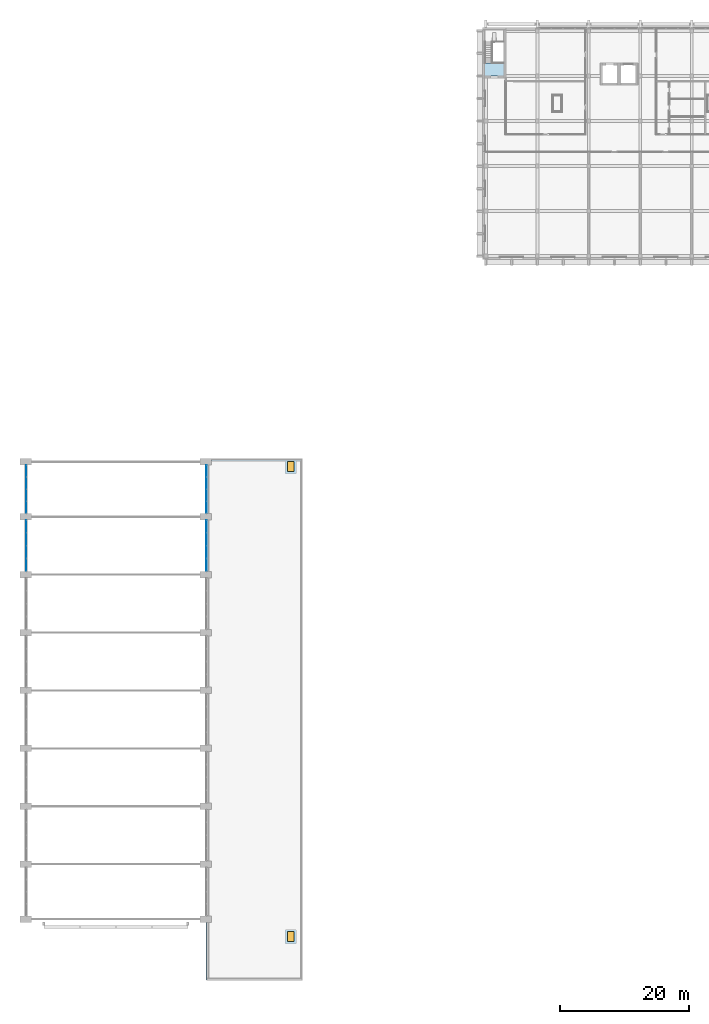
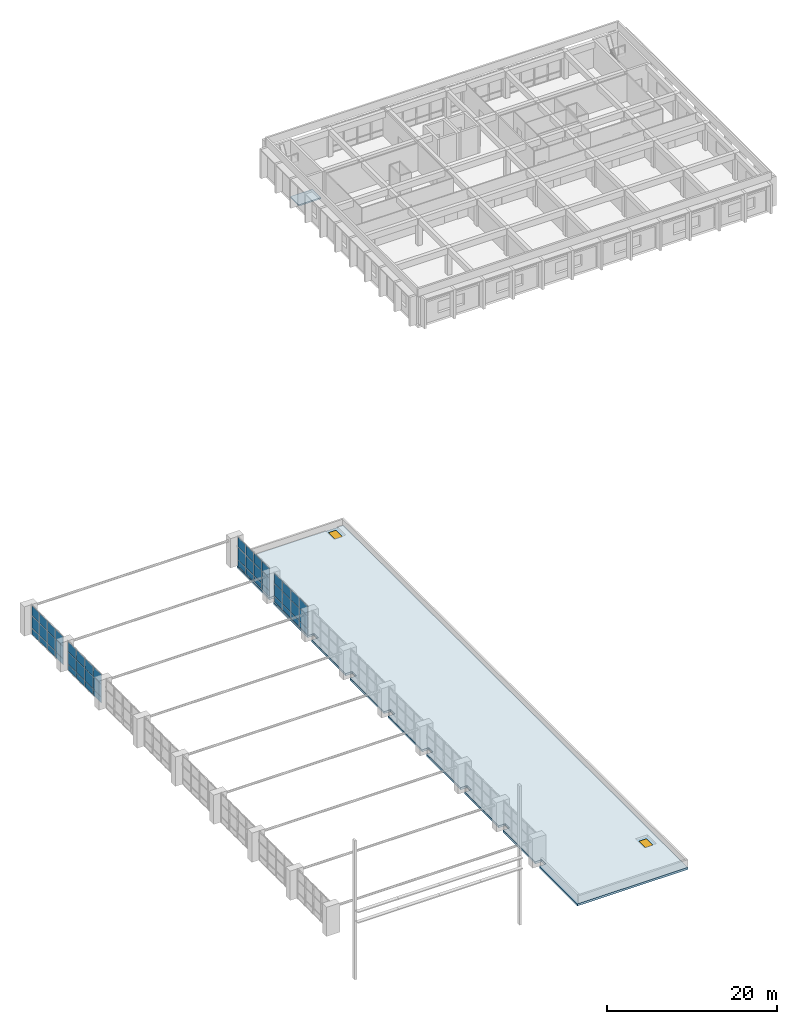
# One storey, part 13 of 21: 48 plates, 2 doors, 2 slabs, 2 openings, 5 elements without a shape of their own.
"""IFC4 building model written with IfcOpenShell, lengths in metres."""

from ifc_helpers import new_model, si_unit, direction, frame, origin, origin_2d, place, context, subcontext, project, spatial, polyline, rectangle, outline, extrude, material, layer, layer_set, type_object, element, fill, aggregate, save


model = new_model("IFC4")

# Units and contexts
model_context = context("Model", 3, precision=1e-05, world=origin(), true_north=direction((0.0, 1.0)))
body_context = subcontext(model_context, "Body", "Model", "MODEL_VIEW")
ifc_project = project(units=[si_unit("LENGTHUNIT", "METRE"), si_unit("AREAUNIT", "SQUARE_METRE"), si_unit("VOLUMEUNIT", "CUBIC_METRE"), si_unit("PLANEANGLEUNIT", "RADIAN"), si_unit("MASSUNIT", "GRAM", prefix="KILO")], contexts=[model_context])

# Site, building, storey
site_placement = place(None, origin())
site = spatial("IfcSite", under=ifc_project, at=site_placement, CompositionType="ELEMENT")
building_placement = place(site_placement, origin())
building = spatial("IfcBuilding", under=site, at=building_placement, Name="Elmora Arch Market Hall", CompositionType="ELEMENT")
storey_placement = place(building_placement, frame((0.0, 0.0, 14.39990234375)))
storey = spatial("IfcBuildingStorey", under=building, at=storey_placement, Name="L03", CompositionType="ELEMENT", Elevation=14.39990234375)

# Curtain wall, plates
ifc_material_1 = material(Name="Aluminium", Category="aluminium")
curtain_wall_type = type_object("IfcCurtainWallType", Name="Hall front curtain wall", PredefinedType="NOTDEFINED", material=ifc_material_1)
curtain_wall_1_placement = place(storey_placement, origin())
curtain_wall_1 = element("IfcCurtainWall", 1, at=curtain_wall_1_placement, inside=storey, type_object=curtain_wall_type, Name="Hall west glazing L03 7", PredefinedType="NOTDEFINED")
ifc_material_2 = material(Name="Glass", Category="glass")
ifc_layer_1 = layer(ifc_material_2, 0.028076171875)
ifc_layer_set_1 = layer_set([ifc_layer_1], Name="Glass")
plate_type = type_object("IfcPlateType", Name="Glass panel 28", PredefinedType="CURTAIN_PANEL", material=ifc_layer_set_1)
plate_1_placement = place(storey_placement, frame((15.090087890625, 82.52001953125, 0.06005859375), z_axis=(0.0, 0.0, 1.0), x_axis=(0.0, 1.0, 0.0)))
plate_1 = element("IfcPlate", 2, at=plate_1_placement, type_object=plate_type, Name="CW2 panel 1.1", PredefinedType="CURTAIN_PANEL", context=body_context, shape_type="SweptSolid", body=[
    extrude(rectangle(XDim=1.8798828125, YDim=0.028076171875, at=origin_2d()), origin(), (0.0, 0.0, 1.0), 0.81005859375),
])
plate_2_placement = place(storey_placement, frame((15.090087890625, 82.52001953125, 0.93017578125), z_axis=(0.0, 0.0, 1.0), x_axis=(0.0, 1.0, 0.0)))
plate_2 = element("IfcPlate", 3, at=plate_2_placement, type_object=plate_type, Name="CW2 panel 1.2", PredefinedType="CURTAIN_PANEL", context=body_context, shape_type="SweptSolid", body=[
    extrude(rectangle(XDim=1.8798828125, YDim=0.028076171875, at=origin_2d()), origin(), (0.0, 0.0, 1.0), 1.739990234375),
])
plate_3_placement = place(storey_placement, frame((15.090087890625, 82.52001953125, 2.72998046875), z_axis=(0.0, 0.0, 1.0), x_axis=(0.0, 1.0, 0.0)))
plate_3 = element("IfcPlate", 4, at=plate_3_placement, type_object=plate_type, Name="CW2 panel 1.3", PredefinedType="CURTAIN_PANEL", context=body_context, shape_type="SweptSolid", body=[
    extrude(rectangle(XDim=1.8798828125, YDim=0.028076171875, at=origin_2d()), origin(), (0.0, 0.0, 1.0), 1.409912109375),
])
plate_4_placement = place(storey_placement, frame((15.090087890625, 84.5, 0.06005859375), z_axis=(0.0, 0.0, 1.0), x_axis=(0.0, 1.0, 0.0)))
plate_4 = element("IfcPlate", 5, at=plate_4_placement, type_object=plate_type, Name="CW2 panel 2.1", PredefinedType="CURTAIN_PANEL", context=body_context, shape_type="SweptSolid", body=[
    extrude(rectangle(XDim=1.919921875, YDim=0.028076171875, at=origin_2d()), origin(), (0.0, 0.0, 1.0), 0.81005859375),
])
plate_5_placement = place(storey_placement, frame((15.090087890625, 84.5, 0.93017578125), z_axis=(0.0, 0.0, 1.0), x_axis=(0.0, 1.0, 0.0)))
plate_5 = element("IfcPlate", 6, at=plate_5_placement, type_object=plate_type, Name="CW2 panel 2.2", PredefinedType="CURTAIN_PANEL", context=body_context, shape_type="SweptSolid", body=[
    extrude(rectangle(XDim=1.919921875, YDim=0.028076171875, at=origin_2d()), origin(), (0.0, 0.0, 1.0), 1.739990234375),
])
plate_6_placement = place(storey_placement, frame((15.090087890625, 84.5, 2.72998046875), z_axis=(0.0, 0.0, 1.0), x_axis=(0.0, 1.0, 0.0)))
plate_6 = element("IfcPlate", 7, at=plate_6_placement, type_object=plate_type, Name="CW2 panel 2.3", PredefinedType="CURTAIN_PANEL", context=body_context, shape_type="SweptSolid", body=[
    extrude(rectangle(XDim=1.919921875, YDim=0.028076171875, at=origin_2d()), origin(), (0.0, 0.0, 1.0), 1.409912109375),
])
plate_7_placement = place(storey_placement, frame((15.090087890625, 86.5, 0.06005859375), z_axis=(0.0, 0.0, 1.0), x_axis=(0.0, 1.0, 0.0)))
plate_7 = element("IfcPlate", 8, at=plate_7_placement, type_object=plate_type, Name="CW2 panel 3.1", PredefinedType="CURTAIN_PANEL", context=body_context, shape_type="SweptSolid", body=[
    extrude(rectangle(XDim=1.919921875, YDim=0.028076171875, at=origin_2d()), origin(), (0.0, 0.0, 1.0), 0.81005859375),
])
plate_8_placement = place(storey_placement, frame((15.090087890625, 86.5, 0.93017578125), z_axis=(0.0, 0.0, 1.0), x_axis=(0.0, 1.0, 0.0)))
plate_8 = element("IfcPlate", 9, at=plate_8_placement, type_object=plate_type, Name="CW2 panel 3.2", PredefinedType="CURTAIN_PANEL", context=body_context, shape_type="SweptSolid", body=[
    extrude(rectangle(XDim=1.919921875, YDim=0.028076171875, at=origin_2d()), origin(), (0.0, 0.0, 1.0), 1.739990234375),
])
plate_9_placement = place(storey_placement, frame((15.090087890625, 86.5, 2.72998046875), z_axis=(0.0, 0.0, 1.0), x_axis=(0.0, 1.0, 0.0)))
plate_9 = element("IfcPlate", 10, at=plate_9_placement, type_object=plate_type, Name="CW2 panel 3.3", PredefinedType="CURTAIN_PANEL", context=body_context, shape_type="SweptSolid", body=[
    extrude(rectangle(XDim=1.919921875, YDim=0.028076171875, at=origin_2d()), origin(), (0.0, 0.0, 1.0), 1.409912109375),
])
plate_10_placement = place(storey_placement, frame((15.090087890625, 88.47998046875, 0.06005859375), z_axis=(0.0, 0.0, 1.0), x_axis=(0.0, 1.0, 0.0)))
plate_10 = element("IfcPlate", 11, at=plate_10_placement, type_object=plate_type, Name="CW2 panel 4.1", PredefinedType="CURTAIN_PANEL", context=body_context, shape_type="SweptSolid", body=[
    extrude(rectangle(XDim=1.8798828125, YDim=0.028076171875, at=origin_2d()), origin(), (0.0, 0.0, 1.0), 0.81005859375),
])
plate_11_placement = place(storey_placement, frame((15.090087890625, 88.47998046875, 0.93017578125), z_axis=(0.0, 0.0, 1.0), x_axis=(0.0, 1.0, 0.0)))
plate_11 = element("IfcPlate", 12, at=plate_11_placement, type_object=plate_type, Name="CW2 panel 4.2", PredefinedType="CURTAIN_PANEL", context=body_context, shape_type="SweptSolid", body=[
    extrude(rectangle(XDim=1.8798828125, YDim=0.028076171875, at=origin_2d()), origin(), (0.0, 0.0, 1.0), 1.739990234375),
])
plate_12_placement = place(storey_placement, frame((15.090087890625, 88.47998046875, 2.72998046875), z_axis=(0.0, 0.0, 1.0), x_axis=(0.0, 1.0, 0.0)))
plate_12 = element("IfcPlate", 13, at=plate_12_placement, type_object=plate_type, Name="CW2 panel 4.3", PredefinedType="CURTAIN_PANEL", context=body_context, shape_type="SweptSolid", body=[
    extrude(rectangle(XDim=1.8798828125, YDim=0.028076171875, at=origin_2d()), origin(), (0.0, 0.0, 1.0), 1.409912109375),
])
aggregate(curtain_wall_1, [plate_1, plate_2, plate_3, plate_4, plate_5, plate_6, plate_7, plate_8, plate_9, plate_10, plate_11, plate_12])

curtain_wall_2_placement = place(storey_placement, origin())
curtain_wall_2 = element("IfcCurtainWall", 14, at=curtain_wall_2_placement, inside=storey, type_object=curtain_wall_type, Name="Hall west glazing L03 8", PredefinedType="NOTDEFINED")
plate_13_placement = place(storey_placement, frame((15.090087890625, 91.4638671875, 0.06005859375), z_axis=(0.0, 0.0, 1.0), x_axis=(0.0, 1.0, 0.0)))
plate_13 = element("IfcPlate", 15, at=plate_13_placement, type_object=plate_type, Name="CW2 panel 1.1", PredefinedType="CURTAIN_PANEL", context=body_context, shape_type="SweptSolid", body=[
    extrude(rectangle(XDim=1.767578125, YDim=0.028076171875, at=origin_2d()), origin(), (0.0, 0.0, 1.0), 0.81005859375),
])
plate_14_placement = place(storey_placement, frame((15.090087890625, 91.4638671875, 0.93017578125), z_axis=(0.0, 0.0, 1.0), x_axis=(0.0, 1.0, 0.0)))
plate_14 = element("IfcPlate", 16, at=plate_14_placement, type_object=plate_type, Name="CW2 panel 1.2", PredefinedType="CURTAIN_PANEL", context=body_context, shape_type="SweptSolid", body=[
    extrude(rectangle(XDim=1.767578125, YDim=0.028076171875, at=origin_2d()), origin(), (0.0, 0.0, 1.0), 1.739990234375),
])
plate_15_placement = place(storey_placement, frame((15.090087890625, 91.4638671875, 2.72998046875), z_axis=(0.0, 0.0, 1.0), x_axis=(0.0, 1.0, 0.0)))
plate_15 = element("IfcPlate", 17, at=plate_15_placement, type_object=plate_type, Name="CW2 panel 1.3", PredefinedType="CURTAIN_PANEL", context=body_context, shape_type="SweptSolid", body=[
    extrude(rectangle(XDim=1.767578125, YDim=0.028076171875, at=origin_2d()), origin(), (0.0, 0.0, 1.0), 1.409912109375),
])
plate_16_placement = place(storey_placement, frame((15.090087890625, 93.331298828125, 0.06005859375), z_axis=(0.0, 0.0, 1.0), x_axis=(0.0, 1.0, 0.0)))
plate_16 = element("IfcPlate", 18, at=plate_16_placement, type_object=plate_type, Name="CW2 panel 2.1", PredefinedType="CURTAIN_PANEL", context=body_context, shape_type="SweptSolid", body=[
    extrude(rectangle(XDim=1.8076171875, YDim=0.028076171875, at=origin_2d()), origin(), (0.0, 0.0, 1.0), 0.81005859375),
])
plate_17_placement = place(storey_placement, frame((15.090087890625, 93.331298828125, 0.93017578125), z_axis=(0.0, 0.0, 1.0), x_axis=(0.0, 1.0, 0.0)))
plate_17 = element("IfcPlate", 19, at=plate_17_placement, type_object=plate_type, Name="CW2 panel 2.2", PredefinedType="CURTAIN_PANEL", context=body_context, shape_type="SweptSolid", body=[
    extrude(rectangle(XDim=1.8076171875, YDim=0.028076171875, at=origin_2d()), origin(), (0.0, 0.0, 1.0), 1.739990234375),
])
plate_18_placement = place(storey_placement, frame((15.090087890625, 93.331298828125, 2.72998046875), z_axis=(0.0, 0.0, 1.0), x_axis=(0.0, 1.0, 0.0)))
plate_18 = element("IfcPlate", 20, at=plate_18_placement, type_object=plate_type, Name="CW2 panel 2.3", PredefinedType="CURTAIN_PANEL", context=body_context, shape_type="SweptSolid", body=[
    extrude(rectangle(XDim=1.8076171875, YDim=0.028076171875, at=origin_2d()), origin(), (0.0, 0.0, 1.0), 1.409912109375),
])
plate_19_placement = place(storey_placement, frame((15.090087890625, 95.21875, 0.06005859375), z_axis=(0.0, 0.0, 1.0), x_axis=(0.0, 1.0, 0.0)))
plate_19 = element("IfcPlate", 21, at=plate_19_placement, type_object=plate_type, Name="CW2 panel 3.1", PredefinedType="CURTAIN_PANEL", context=body_context, shape_type="SweptSolid", body=[
    extrude(rectangle(XDim=1.8076171875, YDim=0.028076171875, at=origin_2d()), origin(), (0.0, 0.0, 1.0), 0.81005859375),
])
plate_20_placement = place(storey_placement, frame((15.090087890625, 95.21875, 0.93017578125), z_axis=(0.0, 0.0, 1.0), x_axis=(0.0, 1.0, 0.0)))
plate_20 = element("IfcPlate", 22, at=plate_20_placement, type_object=plate_type, Name="CW2 panel 3.2", PredefinedType="CURTAIN_PANEL", context=body_context, shape_type="SweptSolid", body=[
    extrude(rectangle(XDim=1.8076171875, YDim=0.028076171875, at=origin_2d()), origin(), (0.0, 0.0, 1.0), 1.739990234375),
])
plate_21_placement = place(storey_placement, frame((15.090087890625, 95.21875, 2.72998046875), z_axis=(0.0, 0.0, 1.0), x_axis=(0.0, 1.0, 0.0)))
plate_21 = element("IfcPlate", 23, at=plate_21_placement, type_object=plate_type, Name="CW2 panel 3.3", PredefinedType="CURTAIN_PANEL", context=body_context, shape_type="SweptSolid", body=[
    extrude(rectangle(XDim=1.8076171875, YDim=0.028076171875, at=origin_2d()), origin(), (0.0, 0.0, 1.0), 1.409912109375),
])
plate_22_placement = place(storey_placement, frame((15.090087890625, 97.086181640625, 0.06005859375), z_axis=(0.0, 0.0, 1.0), x_axis=(0.0, 1.0, 0.0)))
plate_22 = element("IfcPlate", 24, at=plate_22_placement, type_object=plate_type, Name="CW2 panel 4.1", PredefinedType="CURTAIN_PANEL", context=body_context, shape_type="SweptSolid", body=[
    extrude(rectangle(XDim=1.767578125, YDim=0.028076171875, at=origin_2d()), origin(), (0.0, 0.0, 1.0), 0.81005859375),
])
plate_23_placement = place(storey_placement, frame((15.090087890625, 97.086181640625, 0.93017578125), z_axis=(0.0, 0.0, 1.0), x_axis=(0.0, 1.0, 0.0)))
plate_23 = element("IfcPlate", 25, at=plate_23_placement, type_object=plate_type, Name="CW2 panel 4.2", PredefinedType="CURTAIN_PANEL", context=body_context, shape_type="SweptSolid", body=[
    extrude(rectangle(XDim=1.767578125, YDim=0.028076171875, at=origin_2d()), origin(), (0.0, 0.0, 1.0), 1.739990234375),
])
plate_24_placement = place(storey_placement, frame((15.090087890625, 97.086181640625, 2.72998046875), z_axis=(0.0, 0.0, 1.0), x_axis=(0.0, 1.0, 0.0)))
plate_24 = element("IfcPlate", 26, at=plate_24_placement, type_object=plate_type, Name="CW2 panel 4.3", PredefinedType="CURTAIN_PANEL", context=body_context, shape_type="SweptSolid", body=[
    extrude(rectangle(XDim=1.767578125, YDim=0.028076171875, at=origin_2d()), origin(), (0.0, 0.0, 1.0), 1.409912109375),
])
aggregate(curtain_wall_2, [plate_13, plate_14, plate_15, plate_16, plate_17, plate_18, plate_19, plate_20, plate_21, plate_22, plate_23, plate_24])

curtain_wall_3_placement = place(storey_placement, origin())
curtain_wall_3 = element("IfcCurtainWall", 27, at=curtain_wall_3_placement, inside=storey, type_object=curtain_wall_type, Name="Hall east glazing L03 7", PredefinedType="NOTDEFINED")
plate_25_placement = place(storey_placement, frame((43.090087890625, 82.52001953125, 0.06005859375), z_axis=(0.0, 0.0, 1.0), x_axis=(0.0, 1.0, 0.0)))
plate_25 = element("IfcPlate", 28, at=plate_25_placement, type_object=plate_type, Name="CW2 panel 1.1", PredefinedType="CURTAIN_PANEL", context=body_context, shape_type="SweptSolid", body=[
    extrude(rectangle(XDim=1.8798828125, YDim=0.028076171875, at=origin_2d()), origin(), (0.0, 0.0, 1.0), 0.81005859375),
])
plate_26_placement = place(storey_placement, frame((43.090087890625, 82.52001953125, 0.93017578125), z_axis=(0.0, 0.0, 1.0), x_axis=(0.0, 1.0, 0.0)))
plate_26 = element("IfcPlate", 29, at=plate_26_placement, type_object=plate_type, Name="CW2 panel 1.2", PredefinedType="CURTAIN_PANEL", context=body_context, shape_type="SweptSolid", body=[
    extrude(rectangle(XDim=1.8798828125, YDim=0.028076171875, at=origin_2d()), origin(), (0.0, 0.0, 1.0), 1.739990234375),
])
plate_27_placement = place(storey_placement, frame((43.090087890625, 82.52001953125, 2.72998046875), z_axis=(0.0, 0.0, 1.0), x_axis=(0.0, 1.0, 0.0)))
plate_27 = element("IfcPlate", 30, at=plate_27_placement, type_object=plate_type, Name="CW2 panel 1.3", PredefinedType="CURTAIN_PANEL", context=body_context, shape_type="SweptSolid", body=[
    extrude(rectangle(XDim=1.8798828125, YDim=0.028076171875, at=origin_2d()), origin(), (0.0, 0.0, 1.0), 1.409912109375),
])
plate_28_placement = place(storey_placement, frame((43.090087890625, 84.5, 0.06005859375), z_axis=(0.0, 0.0, 1.0), x_axis=(0.0, 1.0, 0.0)))
plate_28 = element("IfcPlate", 31, at=plate_28_placement, type_object=plate_type, Name="CW2 panel 2.1", PredefinedType="CURTAIN_PANEL", context=body_context, shape_type="SweptSolid", body=[
    extrude(rectangle(XDim=1.919921875, YDim=0.028076171875, at=origin_2d()), origin(), (0.0, 0.0, 1.0), 0.81005859375),
])
plate_29_placement = place(storey_placement, frame((43.090087890625, 84.5, 0.93017578125), z_axis=(0.0, 0.0, 1.0), x_axis=(0.0, 1.0, 0.0)))
plate_29 = element("IfcPlate", 32, at=plate_29_placement, type_object=plate_type, Name="CW2 panel 2.2", PredefinedType="CURTAIN_PANEL", context=body_context, shape_type="SweptSolid", body=[
    extrude(rectangle(XDim=1.919921875, YDim=0.028076171875, at=origin_2d()), origin(), (0.0, 0.0, 1.0), 1.739990234375),
])
plate_30_placement = place(storey_placement, frame((43.090087890625, 84.5, 2.72998046875), z_axis=(0.0, 0.0, 1.0), x_axis=(0.0, 1.0, 0.0)))
plate_30 = element("IfcPlate", 33, at=plate_30_placement, type_object=plate_type, Name="CW2 panel 2.3", PredefinedType="CURTAIN_PANEL", context=body_context, shape_type="SweptSolid", body=[
    extrude(rectangle(XDim=1.919921875, YDim=0.028076171875, at=origin_2d()), origin(), (0.0, 0.0, 1.0), 1.409912109375),
])
plate_31_placement = place(storey_placement, frame((43.090087890625, 86.5, 0.06005859375), z_axis=(0.0, 0.0, 1.0), x_axis=(0.0, 1.0, 0.0)))
plate_31 = element("IfcPlate", 34, at=plate_31_placement, type_object=plate_type, Name="CW2 panel 3.1", PredefinedType="CURTAIN_PANEL", context=body_context, shape_type="SweptSolid", body=[
    extrude(rectangle(XDim=1.919921875, YDim=0.028076171875, at=origin_2d()), origin(), (0.0, 0.0, 1.0), 0.81005859375),
])
plate_32_placement = place(storey_placement, frame((43.090087890625, 86.5, 0.93017578125), z_axis=(0.0, 0.0, 1.0), x_axis=(0.0, 1.0, 0.0)))
plate_32 = element("IfcPlate", 35, at=plate_32_placement, type_object=plate_type, Name="CW2 panel 3.2", PredefinedType="CURTAIN_PANEL", context=body_context, shape_type="SweptSolid", body=[
    extrude(rectangle(XDim=1.919921875, YDim=0.028076171875, at=origin_2d()), origin(), (0.0, 0.0, 1.0), 1.739990234375),
])
plate_33_placement = place(storey_placement, frame((43.090087890625, 86.5, 2.72998046875), z_axis=(0.0, 0.0, 1.0), x_axis=(0.0, 1.0, 0.0)))
plate_33 = element("IfcPlate", 36, at=plate_33_placement, type_object=plate_type, Name="CW2 panel 3.3", PredefinedType="CURTAIN_PANEL", context=body_context, shape_type="SweptSolid", body=[
    extrude(rectangle(XDim=1.919921875, YDim=0.028076171875, at=origin_2d()), origin(), (0.0, 0.0, 1.0), 1.409912109375),
])
plate_34_placement = place(storey_placement, frame((43.090087890625, 88.47998046875, 0.06005859375), z_axis=(0.0, 0.0, 1.0), x_axis=(0.0, 1.0, 0.0)))
plate_34 = element("IfcPlate", 37, at=plate_34_placement, type_object=plate_type, Name="CW2 panel 4.1", PredefinedType="CURTAIN_PANEL", context=body_context, shape_type="SweptSolid", body=[
    extrude(rectangle(XDim=1.8798828125, YDim=0.028076171875, at=origin_2d()), origin(), (0.0, 0.0, 1.0), 0.81005859375),
])
plate_35_placement = place(storey_placement, frame((43.090087890625, 88.47998046875, 0.93017578125), z_axis=(0.0, 0.0, 1.0), x_axis=(0.0, 1.0, 0.0)))
plate_35 = element("IfcPlate", 38, at=plate_35_placement, type_object=plate_type, Name="CW2 panel 4.2", PredefinedType="CURTAIN_PANEL", context=body_context, shape_type="SweptSolid", body=[
    extrude(rectangle(XDim=1.8798828125, YDim=0.028076171875, at=origin_2d()), origin(), (0.0, 0.0, 1.0), 1.739990234375),
])
plate_36_placement = place(storey_placement, frame((43.090087890625, 88.47998046875, 2.72998046875), z_axis=(0.0, 0.0, 1.0), x_axis=(0.0, 1.0, 0.0)))
plate_36 = element("IfcPlate", 39, at=plate_36_placement, type_object=plate_type, Name="CW2 panel 4.3", PredefinedType="CURTAIN_PANEL", context=body_context, shape_type="SweptSolid", body=[
    extrude(rectangle(XDim=1.8798828125, YDim=0.028076171875, at=origin_2d()), origin(), (0.0, 0.0, 1.0), 1.409912109375),
])
aggregate(curtain_wall_3, [plate_25, plate_26, plate_27, plate_28, plate_29, plate_30, plate_31, plate_32, plate_33, plate_34, plate_35, plate_36])

curtain_wall_4_placement = place(storey_placement, origin())
curtain_wall_4 = element("IfcCurtainWall", 40, at=curtain_wall_4_placement, inside=storey, type_object=curtain_wall_type, Name="Hall east glazing L03 8", PredefinedType="NOTDEFINED")
plate_37_placement = place(storey_placement, frame((43.090087890625, 91.4638671875, 0.06005859375), z_axis=(0.0, 0.0, 1.0), x_axis=(0.0, 1.0, 0.0)))
plate_37 = element("IfcPlate", 41, at=plate_37_placement, type_object=plate_type, Name="CW2 panel 1.1", PredefinedType="CURTAIN_PANEL", context=body_context, shape_type="SweptSolid", body=[
    extrude(rectangle(XDim=1.767578125, YDim=0.028076171875, at=origin_2d()), origin(), (0.0, 0.0, 1.0), 0.81005859375),
])
plate_38_placement = place(storey_placement, frame((43.090087890625, 91.4638671875, 0.93017578125), z_axis=(0.0, 0.0, 1.0), x_axis=(0.0, 1.0, 0.0)))
plate_38 = element("IfcPlate", 42, at=plate_38_placement, type_object=plate_type, Name="CW2 panel 1.2", PredefinedType="CURTAIN_PANEL", context=body_context, shape_type="SweptSolid", body=[
    extrude(rectangle(XDim=1.767578125, YDim=0.028076171875, at=origin_2d()), origin(), (0.0, 0.0, 1.0), 1.739990234375),
])
plate_39_placement = place(storey_placement, frame((43.090087890625, 91.4638671875, 2.72998046875), z_axis=(0.0, 0.0, 1.0), x_axis=(0.0, 1.0, 0.0)))
plate_39 = element("IfcPlate", 43, at=plate_39_placement, type_object=plate_type, Name="CW2 panel 1.3", PredefinedType="CURTAIN_PANEL", context=body_context, shape_type="SweptSolid", body=[
    extrude(rectangle(XDim=1.767578125, YDim=0.028076171875, at=origin_2d()), origin(), (0.0, 0.0, 1.0), 1.409912109375),
])
plate_40_placement = place(storey_placement, frame((43.090087890625, 93.331298828125, 0.06005859375), z_axis=(0.0, 0.0, 1.0), x_axis=(0.0, 1.0, 0.0)))
plate_40 = element("IfcPlate", 44, at=plate_40_placement, type_object=plate_type, Name="CW2 panel 2.1", PredefinedType="CURTAIN_PANEL", context=body_context, shape_type="SweptSolid", body=[
    extrude(rectangle(XDim=1.8076171875, YDim=0.028076171875, at=origin_2d()), origin(), (0.0, 0.0, 1.0), 0.81005859375),
])
plate_41_placement = place(storey_placement, frame((43.090087890625, 93.331298828125, 0.93017578125), z_axis=(0.0, 0.0, 1.0), x_axis=(0.0, 1.0, 0.0)))
plate_41 = element("IfcPlate", 45, at=plate_41_placement, type_object=plate_type, Name="CW2 panel 2.2", PredefinedType="CURTAIN_PANEL", context=body_context, shape_type="SweptSolid", body=[
    extrude(rectangle(XDim=1.8076171875, YDim=0.028076171875, at=origin_2d()), origin(), (0.0, 0.0, 1.0), 1.739990234375),
])
plate_42_placement = place(storey_placement, frame((43.090087890625, 93.331298828125, 2.72998046875), z_axis=(0.0, 0.0, 1.0), x_axis=(0.0, 1.0, 0.0)))
plate_42 = element("IfcPlate", 46, at=plate_42_placement, type_object=plate_type, Name="CW2 panel 2.3", PredefinedType="CURTAIN_PANEL", context=body_context, shape_type="SweptSolid", body=[
    extrude(rectangle(XDim=1.8076171875, YDim=0.028076171875, at=origin_2d()), origin(), (0.0, 0.0, 1.0), 1.409912109375),
])
plate_43_placement = place(storey_placement, frame((43.090087890625, 95.21875, 0.06005859375), z_axis=(0.0, 0.0, 1.0), x_axis=(0.0, 1.0, 0.0)))
plate_43 = element("IfcPlate", 47, at=plate_43_placement, type_object=plate_type, Name="CW2 panel 3.1", PredefinedType="CURTAIN_PANEL", context=body_context, shape_type="SweptSolid", body=[
    extrude(rectangle(XDim=1.8076171875, YDim=0.028076171875, at=origin_2d()), origin(), (0.0, 0.0, 1.0), 0.81005859375),
])
plate_44_placement = place(storey_placement, frame((43.090087890625, 95.21875, 0.93017578125), z_axis=(0.0, 0.0, 1.0), x_axis=(0.0, 1.0, 0.0)))
plate_44 = element("IfcPlate", 48, at=plate_44_placement, type_object=plate_type, Name="CW2 panel 3.2", PredefinedType="CURTAIN_PANEL", context=body_context, shape_type="SweptSolid", body=[
    extrude(rectangle(XDim=1.8076171875, YDim=0.028076171875, at=origin_2d()), origin(), (0.0, 0.0, 1.0), 1.739990234375),
])
plate_45_placement = place(storey_placement, frame((43.090087890625, 95.21875, 2.72998046875), z_axis=(0.0, 0.0, 1.0), x_axis=(0.0, 1.0, 0.0)))
plate_45 = element("IfcPlate", 49, at=plate_45_placement, type_object=plate_type, Name="CW2 panel 3.3", PredefinedType="CURTAIN_PANEL", context=body_context, shape_type="SweptSolid", body=[
    extrude(rectangle(XDim=1.8076171875, YDim=0.028076171875, at=origin_2d()), origin(), (0.0, 0.0, 1.0), 1.409912109375),
])
plate_46_placement = place(storey_placement, frame((43.090087890625, 97.086181640625, 0.06005859375), z_axis=(0.0, 0.0, 1.0), x_axis=(0.0, 1.0, 0.0)))
plate_46 = element("IfcPlate", 50, at=plate_46_placement, type_object=plate_type, Name="CW2 panel 4.1", PredefinedType="CURTAIN_PANEL", context=body_context, shape_type="SweptSolid", body=[
    extrude(rectangle(XDim=1.767578125, YDim=0.028076171875, at=origin_2d()), origin(), (0.0, 0.0, 1.0), 0.81005859375),
])
plate_47_placement = place(storey_placement, frame((43.090087890625, 97.086181640625, 0.93017578125), z_axis=(0.0, 0.0, 1.0), x_axis=(0.0, 1.0, 0.0)))
plate_47 = element("IfcPlate", 51, at=plate_47_placement, type_object=plate_type, Name="CW2 panel 4.2", PredefinedType="CURTAIN_PANEL", context=body_context, shape_type="SweptSolid", body=[
    extrude(rectangle(XDim=1.767578125, YDim=0.028076171875, at=origin_2d()), origin(), (0.0, 0.0, 1.0), 1.739990234375),
])
plate_48_placement = place(storey_placement, frame((43.090087890625, 97.086181640625, 2.72998046875), z_axis=(0.0, 0.0, 1.0), x_axis=(0.0, 1.0, 0.0)))
plate_48 = element("IfcPlate", 52, at=plate_48_placement, type_object=plate_type, Name="CW2 panel 4.3", PredefinedType="CURTAIN_PANEL", context=body_context, shape_type="SweptSolid", body=[
    extrude(rectangle(XDim=1.767578125, YDim=0.028076171875, at=origin_2d()), origin(), (0.0, 0.0, 1.0), 1.409912109375),
])
aggregate(curtain_wall_4, [plate_37, plate_38, plate_39, plate_40, plate_41, plate_42, plate_43, plate_44, plate_45, plate_46, plate_47, plate_48])

# Slab, openings, doors
ifc_material_3 = material(Name="Concrete C32/40", Category="concrete")
ifc_layer_2 = layer(ifc_material_3, 0.300048828125)
ifc_layer_set_2 = layer_set([ifc_layer_2], Name="Concrete C32/40")
slab_type_1 = type_object("IfcSlabType", Name="Roof slab 300", PredefinedType="ROOF", material=ifc_layer_set_2)
slab_1_placement = place(storey_placement, frame((0.0, 0.0, -0.2998046875)))
slab_1 = element("IfcSlab", 53, at=slab_1_placement, inside=storey, type_object=slab_type_1, Name="Roof slab PLANTED EW", PredefinedType="ROOF", context=body_context, shape_type="SweptSolid", body=[
    extrude(outline(polyline([(43.0, 18.0), (43.0, 26.948974609375), (43.90087890625, 26.948974609375), (43.90087890625, 27.950927734375), (43.0, 27.950927734375), (43.0, 35.4990234375), (43.90087890625, 35.4990234375), (43.90087890625, 36.5009765625), (43.0, 36.5009765625), (43.0, 44.4990234375), (43.90087890625, 44.4990234375), (43.90087890625, 45.5009765625), (43.0, 45.5009765625), (43.0, 53.4990234375), (43.90087890625, 53.4990234375), (43.90087890625, 54.5009765625), (43.0, 54.5009765625), (43.0, 62.4990234375), (43.90087890625, 62.4990234375), (43.90087890625, 63.5009765625), (43.0, 63.5009765625), (43.0, 71.4990234375), (43.90087890625, 71.4990234375), (43.90087890625, 72.5009765625), (43.0, 72.5009765625), (43.0, 80.4990234375), (43.90087890625, 80.4990234375), (43.90087890625, 81.5009765625), (43.0, 81.5009765625), (43.0, 89.4990234375), (43.90087890625, 89.4990234375), (43.90087890625, 90.5009765625), (43.0, 90.5009765625), (43.0, 98.049072265625), (43.90087890625, 98.049072265625), (43.90087890625, 99.0), (58.0, 99.0), (58.0, 27.0), (58.0, 18.0), (43.0, 18.0)]), holes=[polyline([(55.698974609375, 97.049072265625), (56.700927734375, 97.049072265625), (56.700927734375, 98.551025390625), (55.698974609375, 98.551025390625), (55.698974609375, 97.049072265625)]), polyline([(55.698974609375, 23.9990234375), (56.700927734375, 23.9990234375), (56.700927734375, 25.5009765625), (55.698974609375, 25.5009765625), (55.698974609375, 23.9990234375)])]), origin(), (0.0, 0.0, 1.0), 0.2998046875),
])
opening_1_placement = place(slab_1_placement, frame((56.199951171875, 24.75, 0.0)))
opening_1 = element("IfcOpeningElement", 54, at=opening_1_placement, cuts=slab_1, Name="Opening H-ST-ES", PredefinedType="OPENING", context=body_context, shape_type="SweptSolid", body=[
    extrude(rectangle(XDim=1.0, YDim=1.5, at=origin_2d()), origin(), (0.0, 0.0, 1.0), 0.2998046875),
])
opening_2_placement = place(slab_1_placement, frame((56.199951171875, 97.800048828125, 0.0)))
opening_2 = element("IfcOpeningElement", 55, at=opening_2_placement, cuts=slab_1, Name="Opening H-ST-EN", PredefinedType="OPENING", context=body_context, shape_type="SweptSolid", body=[
    extrude(rectangle(XDim=1.0, YDim=1.5, at=origin_2d()), origin(), (0.0, 0.0, 1.0), 0.2998046875),
])
ifc_material_4 = material(Name="Steel ASTM A653 galvanised", Category="steel")
door_type = type_object("IfcDoorType", Name="Roof hatch 1000x1500", OperationType="SINGLE_SWING_LEFT", PredefinedType="TRAPDOOR", material=ifc_material_4)
door_1_placement = place(opening_1_placement, frame((0.0, 0.0, 0.249755859375)))
door_1 = element("IfcDoor", 56, at=door_1_placement, inside=storey, type_object=door_type, Name="Roof hatch ST-ES", OperationType="SINGLE_SWING_LEFT", OverallHeight=1.5, OverallWidth=1.0, PredefinedType="TRAPDOOR", context=body_context, shape_type="SweptSolid", body=[
    extrude(rectangle(XDim=1.0, YDim=1.5, at=origin_2d()), origin(), (0.0, 0.0, 1.0), 0.050048828125),
])
fill(opening_1, door_1)
door_2_placement = place(opening_2_placement, frame((0.0, 0.0, 0.249755859375)))
door_2 = element("IfcDoor", 57, at=door_2_placement, inside=storey, type_object=door_type, Name="Roof hatch ST-EN", OperationType="SINGLE_SWING_LEFT", OverallHeight=1.5, OverallWidth=1.0, PredefinedType="TRAPDOOR", context=body_context, shape_type="SweptSolid", body=[
    extrude(rectangle(XDim=1.0, YDim=1.5, at=origin_2d()), origin(), (0.0, 0.0, 1.0), 0.050048828125),
])
fill(opening_2, door_2)

# Stair, slab
ifc_material_5 = material(Name="Concrete C40/50", Category="concrete")
stair_type = type_object("IfcStairType", Name="Exit stair 1200", PredefinedType="TWO_STRAIGHT_RUN_STAIR", material=ifc_material_5)
stair_placement = place(storey_placement, origin())
stair = element("IfcStair", 58, at=stair_placement, inside=storey, type_object=stair_type, Name="Stair ST-SCW L03", PredefinedType="TWO_STRAIGHT_RUN_STAIR")
ifc_material_6 = material(Name="Concrete C32/40", Category="concrete")
ifc_layer_3 = layer(ifc_material_6, 0.199951171875)
ifc_layer_set_3 = layer_set([ifc_layer_3], Name="Concrete C32/40")
slab_type_2 = type_object("IfcSlabType", Name="Stair landing 200", PredefinedType="LANDING", material=ifc_layer_set_3)
slab_2_placement = place(storey_placement, frame((0.0, 0.0, -0.199951171875)))
slab_2 = element("IfcSlab", 59, at=slab_2_placement, type_object=slab_type_2, Name="Stair ST-SCW L03 landing 1", PredefinedType="LANDING", context=body_context, shape_type="SweptSolid", body=[
    extrude(outline(polyline([(86.300048828125, 158.5), (89.300048828125, 158.5), (89.300048828125, 160.5), (86.300048828125, 160.5), (86.300048828125, 158.5)])), origin(), (0.0, 0.0, 1.0), 0.199951171875),
])
aggregate(stair, [slab_2])

save(model, "model.ifc")
